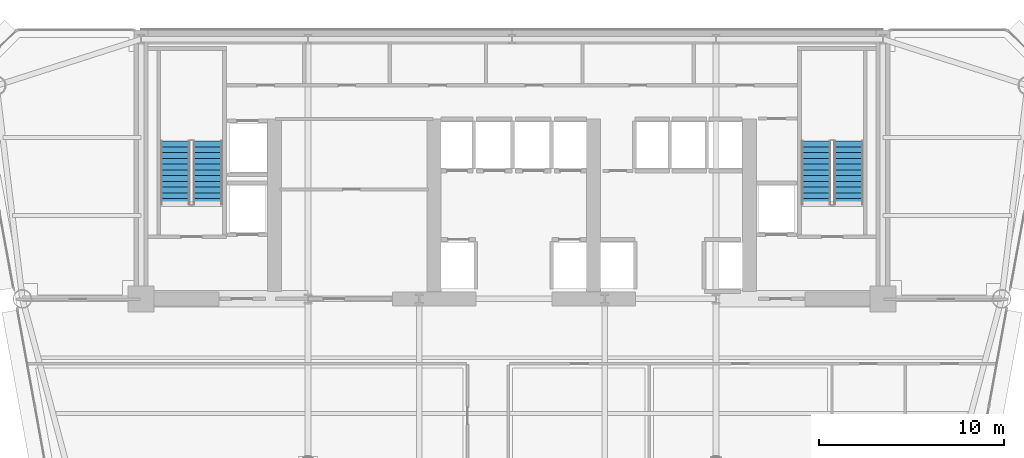
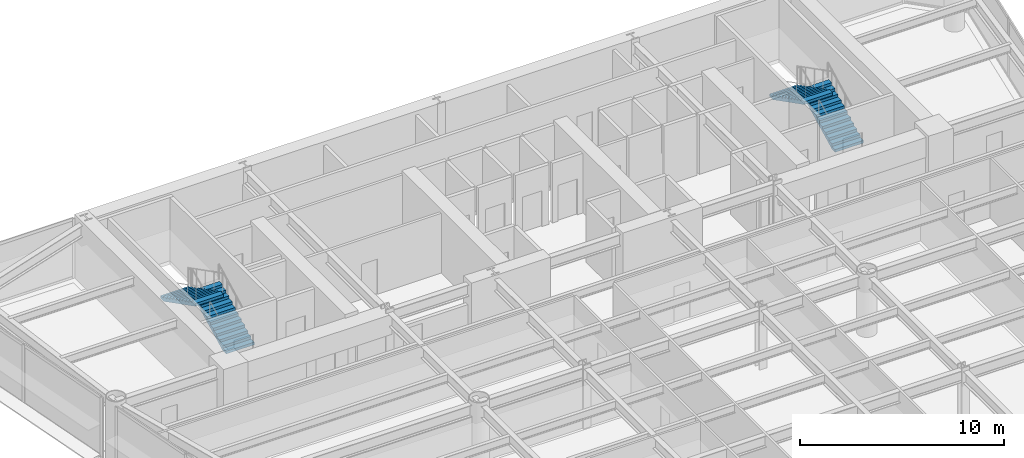
# One storey, part 10 of 14: 4 stair flights, 2 elements without a shape of their own.
"""IFC4 building model written with IfcOpenShell, lengths in metres."""

from ifc_helpers import new_model, si_unit, direction, frame, origin, place, context, subcontext, project, spatial, polyline, outline, extrude, material, type_object, element, aggregate, save


model = new_model("IFC4")

# Units and contexts
model_context = context("Model", 3, precision=1e-05, world=origin(), true_north=direction((0.0, 1.0)))
body_context = subcontext(model_context, "Body", "Model", "MODEL_VIEW")
ifc_project = project(units=[si_unit("LENGTHUNIT", "METRE"), si_unit("AREAUNIT", "SQUARE_METRE"), si_unit("VOLUMEUNIT", "CUBIC_METRE"), si_unit("PLANEANGLEUNIT", "RADIAN"), si_unit("MASSUNIT", "GRAM", prefix="KILO")], contexts=[model_context])

# Site, building, storey
site_placement = place(None, origin())
site = spatial("IfcSite", under=ifc_project, at=site_placement, CompositionType="ELEMENT")
building_placement = place(site_placement, origin())
building = spatial("IfcBuilding", under=site, at=building_placement, Name="Vaeldorn Concourse Tower", CompositionType="ELEMENT")
storey_placement = place(building_placement, frame((0.0, 0.0, 111.0)))
storey = spatial("IfcBuildingStorey", under=building, at=storey_placement, Name="L28", CompositionType="ELEMENT", Elevation=111.0)

# Stair, stair flights
ifc_material = material(Name="Precast concrete C40/50", Category="concrete")
stair_type = type_object("IfcStairType", Name="STR-DOG-24x158", PredefinedType="HALF_TURN_STAIR", material=ifc_material)
stair_1_placement = place(storey_placement, origin())
stair_1 = element("IfcStair", 1, at=stair_1_placement, inside=storey, type_object=stair_type, Name="L28 West Core Exit Stair ST-1", PredefinedType="HALF_TURN_STAIR")
stair_flight_type = type_object("IfcStairFlightType", Name="STF-STR-12x158", PredefinedType="STRAIGHT", material=ifc_material)
stair_flight_1_placement = place(storey_placement, frame((17.60009765625, 41.60009765625, 0.0), z_axis=(0.0, 0.0, 1.0), x_axis=(0.0, 1.0, 0.0)))
stair_flight_1 = element("IfcStairFlight", 2, at=stair_flight_1_placement, type_object=stair_flight_type, Name="ST-1 flight 1", NumberOfRisers=12, NumberOfTreads=11, PredefinedType="STRAIGHT", RiserHeight=0.158333333, TreadLength=0.31, context=body_context, shape_type="SweptSolid", body=[
    extrude(outline(polyline([(0.0, 0.0), (0.0, 0.158447265625), (0.31005859375, 0.158447265625), (0.31005859375, 0.316650390625), (0.6201171875, 0.316650390625), (0.6201171875, 0.47509765625), (0.929931640625, 0.47509765625), (0.929931640625, 0.63330078125), (1.239990234375, 0.63330078125), (1.239990234375, 0.791748046875), (1.550048828125, 0.791748046875), (1.550048828125, 0.949951171875), (1.860107421875, 0.949951171875), (1.860107421875, 1.1083984375), (2.169921875, 1.1083984375), (2.169921875, 1.2666015625), (2.47998046875, 1.2666015625), (2.47998046875, 1.425048828125), (2.7900390625, 1.425048828125), (2.7900390625, 1.583251953125), (3.10009765625, 1.583251953125), (3.10009765625, 1.74169921875), (3.409912109375, 1.74169921875), (3.409912109375, 1.89990234375), (3.409912109375, 1.5732421875), (0.32958984375, 0.0), (0.0, 0.0)])), frame((0.0, 0.800048828125, 0.0), z_axis=(0.0, -1.0, 0.0), x_axis=(1.0, 0.0, 0.0)), (0.0, 0.0, 1.0), 1.60009765625),
])
stair_flight_2_placement = place(storey_placement, frame((15.85009765625, 45.010009765625, 1.89990234375), z_axis=(0.0, 0.0, 1.0), x_axis=(0.0, -1.0, 0.0)))
stair_flight_2 = element("IfcStairFlight", 3, at=stair_flight_2_placement, type_object=stair_flight_type, Name="ST-1 flight 2", NumberOfRisers=12, NumberOfTreads=11, PredefinedType="STRAIGHT", RiserHeight=0.158333333, TreadLength=0.31, context=body_context, shape_type="SweptSolid", body=[
    extrude(outline(polyline([(0.0, 0.0), (0.0, 0.158447265625), (0.31005859375, 0.158447265625), (0.31005859375, 0.316650390625), (0.6201171875, 0.316650390625), (0.6201171875, 0.47509765625), (0.929931640625, 0.47509765625), (0.929931640625, 0.63330078125), (1.239990234375, 0.63330078125), (1.239990234375, 0.791748046875), (1.550048828125, 0.791748046875), (1.550048828125, 0.949951171875), (1.860107421875, 0.949951171875), (1.860107421875, 1.1083984375), (2.169921875, 1.1083984375), (2.169921875, 1.2666015625), (2.47998046875, 1.2666015625), (2.47998046875, 1.425048828125), (2.7900390625, 1.425048828125), (2.7900390625, 1.583251953125), (3.10009765625, 1.583251953125), (3.10009765625, 1.74169921875), (3.409912109375, 1.74169921875), (3.409912109375, 1.89990234375), (3.409912109375, 1.5732421875), (0.32958984375, 0.0), (0.0, 0.0)])), frame((0.0, 0.800048828125, 0.0), z_axis=(0.0, -1.0, 0.0), x_axis=(1.0, 0.0, 0.0)), (0.0, 0.0, 1.0), 1.60009765625),
])
aggregate(stair_1, [stair_flight_1, stair_flight_2])

stair_2_placement = place(storey_placement, origin())
stair_2 = element("IfcStair", 4, at=stair_2_placement, inside=storey, type_object=stair_type, Name="L28 East Core Exit Stair ST-2", PredefinedType="HALF_TURN_STAIR")
stair_flight_3_placement = place(storey_placement, frame((52.14990234375, 41.60009765625, 0.0), z_axis=(0.0, 0.0, 1.0), x_axis=(0.0, 1.0, 0.0)))
stair_flight_3 = element("IfcStairFlight", 5, at=stair_flight_3_placement, type_object=stair_flight_type, Name="ST-2 flight 1", NumberOfRisers=12, NumberOfTreads=11, PredefinedType="STRAIGHT", RiserHeight=0.158333333, TreadLength=0.31, context=body_context, shape_type="SweptSolid", body=[
    extrude(outline(polyline([(0.0, 0.0), (0.0, 0.158447265625), (0.31005859375, 0.158447265625), (0.31005859375, 0.316650390625), (0.6201171875, 0.316650390625), (0.6201171875, 0.47509765625), (0.929931640625, 0.47509765625), (0.929931640625, 0.63330078125), (1.239990234375, 0.63330078125), (1.239990234375, 0.791748046875), (1.550048828125, 0.791748046875), (1.550048828125, 0.949951171875), (1.860107421875, 0.949951171875), (1.860107421875, 1.1083984375), (2.169921875, 1.1083984375), (2.169921875, 1.2666015625), (2.47998046875, 1.2666015625), (2.47998046875, 1.425048828125), (2.7900390625, 1.425048828125), (2.7900390625, 1.583251953125), (3.10009765625, 1.583251953125), (3.10009765625, 1.74169921875), (3.409912109375, 1.74169921875), (3.409912109375, 1.89990234375), (3.409912109375, 1.5732421875), (0.32958984375, 0.0), (0.0, 0.0)])), frame((0.0, 0.800048828125, 0.0), z_axis=(0.0, -1.0, 0.0), x_axis=(1.0, 0.0, 0.0)), (0.0, 0.0, 1.0), 1.60009765625),
])
stair_flight_4_placement = place(storey_placement, frame((50.39990234375, 45.010009765625, 1.89990234375), z_axis=(0.0, 0.0, 1.0), x_axis=(0.0, -1.0, 0.0)))
stair_flight_4 = element("IfcStairFlight", 6, at=stair_flight_4_placement, type_object=stair_flight_type, Name="ST-2 flight 2", NumberOfRisers=12, NumberOfTreads=11, PredefinedType="STRAIGHT", RiserHeight=0.158333333, TreadLength=0.31, context=body_context, shape_type="SweptSolid", body=[
    extrude(outline(polyline([(0.0, 0.0), (0.0, 0.158447265625), (0.31005859375, 0.158447265625), (0.31005859375, 0.316650390625), (0.6201171875, 0.316650390625), (0.6201171875, 0.47509765625), (0.929931640625, 0.47509765625), (0.929931640625, 0.63330078125), (1.239990234375, 0.63330078125), (1.239990234375, 0.791748046875), (1.550048828125, 0.791748046875), (1.550048828125, 0.949951171875), (1.860107421875, 0.949951171875), (1.860107421875, 1.1083984375), (2.169921875, 1.1083984375), (2.169921875, 1.2666015625), (2.47998046875, 1.2666015625), (2.47998046875, 1.425048828125), (2.7900390625, 1.425048828125), (2.7900390625, 1.583251953125), (3.10009765625, 1.583251953125), (3.10009765625, 1.74169921875), (3.409912109375, 1.74169921875), (3.409912109375, 1.89990234375), (3.409912109375, 1.5732421875), (0.32958984375, 0.0), (0.0, 0.0)])), frame((0.0, 0.800048828125, 0.0), z_axis=(0.0, -1.0, 0.0), x_axis=(1.0, 0.0, 0.0)), (0.0, 0.0, 1.0), 1.60009765625),
])
aggregate(stair_2, [stair_flight_3, stair_flight_4])

save(model, "model.ifc")
